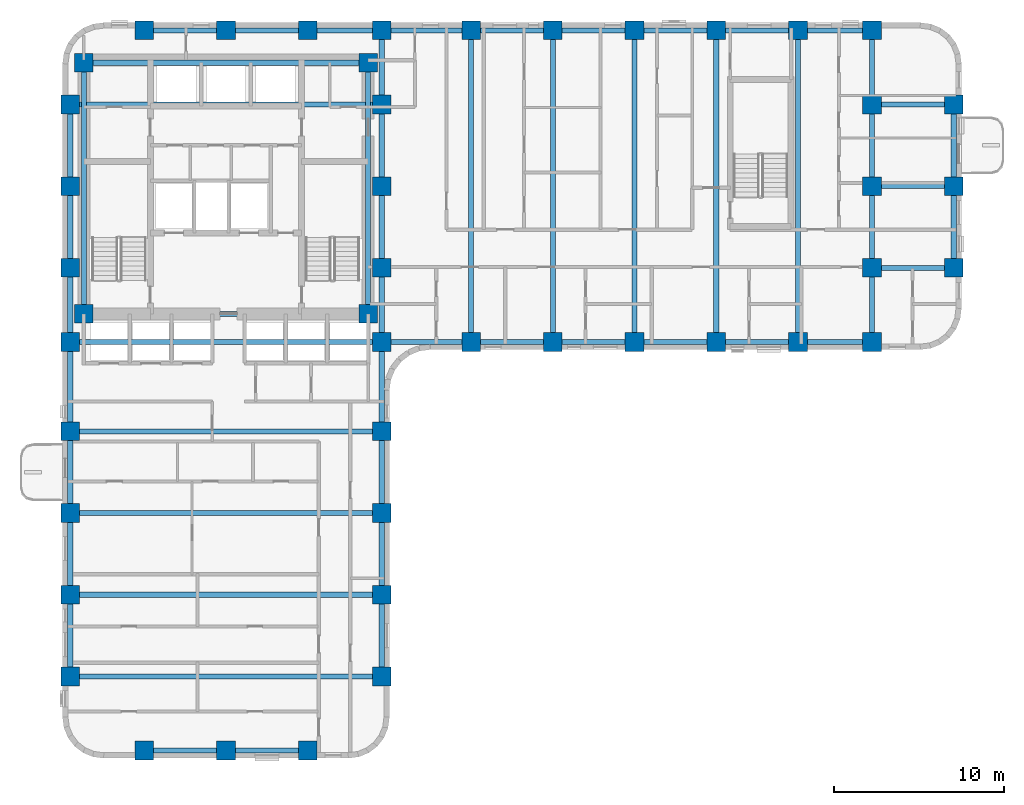
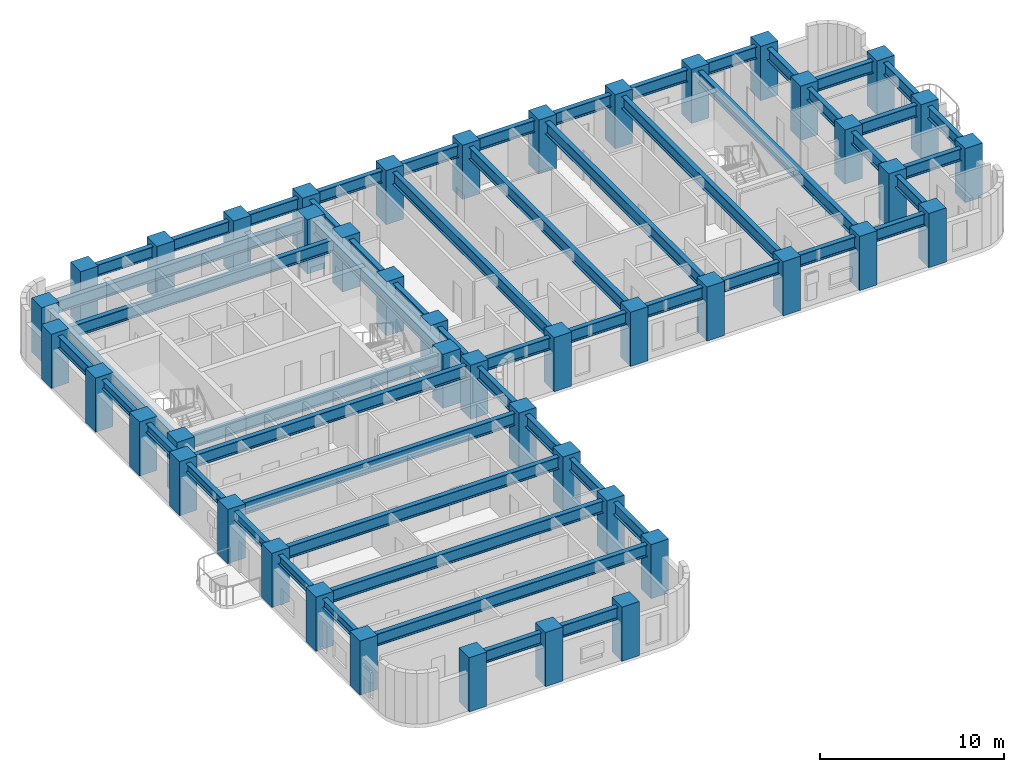
# One storey, part 1 of 11: 56 beams, 45 columns.
"""IFC4 building model written with IfcOpenShell, lengths in metres."""

from ifc_helpers import new_model, si_unit, direction, frame, origin, origin_2d, place, context, subcontext, project, spatial, rectangle, i_section, extrude, material, material_profile, profile_set, type_object, element, save


model = new_model("IFC4")

# Units and contexts
model_context = context("Model", 3, precision=1e-05, world=origin(), true_north=direction((0.0, 1.0)))
body_context = subcontext(model_context, "Body", "Model", "MODEL_VIEW")
ifc_project = project(units=[si_unit("LENGTHUNIT", "METRE"), si_unit("AREAUNIT", "SQUARE_METRE"), si_unit("VOLUMEUNIT", "CUBIC_METRE"), si_unit("PLANEANGLEUNIT", "RADIAN"), si_unit("MASSUNIT", "GRAM", prefix="KILO")], contexts=[model_context])

# Site, building, storey
site_placement = place(None, origin())
site = spatial("IfcSite", under=ifc_project, at=site_placement, CompositionType="ELEMENT")
building_placement = place(site_placement, origin())
building = spatial("IfcBuilding", under=site, at=building_placement, Name="Orvandelia Arch Residences", CompositionType="ELEMENT")
storey_placement = place(building_placement, frame((0.0, 0.0, 79.0)))
storey = spatial("IfcBuildingStorey", under=building, at=storey_placement, Name="L20", CompositionType="ELEMENT", Elevation=79.0)

# Columns
ifc_material_1 = material(Name="Concrete C80/95", Category="concrete")
ifc_material_profile_1 = material_profile(ifc_material_1, rectangle(XDim=1.10009765625, YDim=1.10009765625, at=origin_2d()), Name="Concrete C80/95", Category="concrete")
ifc_profile_set_1 = profile_set([ifc_material_profile_1], Name="Concrete C80/95")
column_type = type_object("IfcColumnType", Name="COL-TWR-1100", PredefinedType="COLUMN", material=ifc_profile_set_1)
for number, where, z_axis, x_axis, name in (
    (1, (5.25, 9.60009765625, 0.0), (0.0, 0.0, 1.0), (1.0, 0.0, 0.0), "Structural Column L20-W-W-96"),
    (2, (5.25, 14.39990234375, 0.0), (0.0, 0.0, 1.0), (1.0, 0.0, 0.0), "Structural Column L20-W-W-144"),
    (3, (5.25, 19.199951171875, 0.0), (0.0, 0.0, 1.0), (1.0, 0.0, 0.0), "Structural Column L20-W-W-192"),
    (4, (5.25, 24.0, 0.0), (0.0, 0.0, 1.0), (1.0, 0.0, 0.0), "Structural Column L20-W-W-240"),
    (5, (5.25, 29.25, 0.0), (0.0, 0.0, 1.0), (1.0, 0.0, 0.0), "Structural Column L20-W-W-292"),
    (6, (5.25, 33.60009765625, 0.0), (0.0, 0.0, 1.0), (1.0, 0.0, 0.0), "Structural Column L20-W-W-336"),
    (7, (5.25, 38.39990234375, 0.0), (0.0, 0.0, 1.0), (1.0, 0.0, 0.0), "Structural Column L20-W-W-384"),
    (8, (5.25, 43.199951171875, 0.0), (0.0, 0.0, 1.0), (1.0, 0.0, 0.0), "Structural Column L20-W-W-432"),
    (9, (6.050048828125, 30.89990234375, 0.0), (0.0, 0.0, 1.0), (1.0, 0.0, 0.0), "Structural Column L20-CR-SW"),
    (10, (6.050048828125, 45.64990234375, 0.0), (0.0, 0.0, 1.0), (1.0, 0.0, 0.0), "Structural Column L20-CR-NW"),
    (11, (9.60009765625, 5.25, 0.0), (0.0, 0.0, 1.0), (1.0, 0.0, 0.0), "Structural Column L20-W-S-96"),
    (12, (9.60009765625, 47.550048828125, 0.0), (0.0, 0.0, 1.0), (1.0, 0.0, 0.0), "Structural Column L20-W-N-96"),
    (13, (14.39990234375, 5.25, 0.0), (0.0, 0.0, 1.0), (1.0, 0.0, 0.0), "Structural Column L20-W-S-144"),
    (14, (14.39990234375, 47.550048828125, 0.0), (0.0, 0.0, 1.0), (1.0, 0.0, 0.0), "Structural Column L20-W-N-144"),
    (15, (19.199951171875, 5.25, 0.0), (0.0, 0.0, 1.0), (1.0, 0.0, 0.0), "Structural Column L20-W-S-192"),
    (16, (19.199951171875, 47.550048828125, 0.0), (0.0, 0.0, 1.0), (1.0, 0.0, 0.0), "Structural Column L20-W-N-192"),
    (17, (22.75, 30.89990234375, 0.0), (0.0, 0.0, 1.0), (1.0, 0.0, 0.0), "Structural Column L20-CR-SE"),
    (18, (22.75, 45.64990234375, 0.0), (0.0, 0.0, 1.0), (1.0, 0.0, 0.0), "Structural Column L20-CR-NE"),
    (19, (23.550048828125, 9.60009765625, 0.0), (0.0, 0.0, 1.0), (1.0, 0.0, 0.0), "Structural Column L20-W-E-96"),
    (20, (23.550048828125, 14.39990234375, 0.0), (0.0, 0.0, 1.0), (1.0, 0.0, 0.0), "Structural Column L20-W-E-144"),
    (21, (23.550048828125, 19.199951171875, 0.0), (0.0, 0.0, 1.0), (1.0, 0.0, 0.0), "Structural Column L20-W-E-192"),
    (22, (23.550048828125, 24.0, 0.0), (0.0, 0.0, 1.0), (1.0, 0.0, 0.0), "Structural Column L20-W-E-240"),
    (23, (23.550048828125, 29.25, 0.0), (0.0, 0.0, 1.0), (1.0, 0.0, 0.0), "Structural Column L20-W-E-292"),
    (24, (23.550048828125, 33.60009765625, 0.0), (0.0, 0.0, 1.0), (1.0, 0.0, 0.0), "Structural Column L20-W-E-336"),
    (25, (23.550048828125, 38.39990234375, 0.0), (0.0, 0.0, 1.0), (1.0, 0.0, 0.0), "Structural Column L20-W-E-384"),
    (26, (23.550048828125, 43.199951171875, 0.0), (0.0, 0.0, 1.0), (1.0, 0.0, 0.0), "Structural Column L20-W-E-432"),
    (27, (23.550048828125, 47.550048828125, 0.0), (0.0, 0.0, 1.0), (1.0, 0.0, 0.0), "Structural Column L20-W-N-235"),
    (28, (28.800048828125, 29.25, 0.0), (0.0, 0.0, 1.0), (1.0, 0.0, 0.0), "Structural Column L20-E-S-288"),
    (29, (28.800048828125, 47.550048828125, 0.0), (0.0, 0.0, 1.0), (1.0, 0.0, 0.0), "Structural Column L20-E-N-288"),
    (30, (33.60009765625, 29.25, 0.0), (0.0, 0.0, 1.0), (1.0, 0.0, 0.0), "Structural Column L20-E-S-336"),
    (31, (33.60009765625, 47.550048828125, 0.0), (0.0, 0.0, 1.0), (1.0, 0.0, 0.0), "Structural Column L20-E-N-336"),
    (32, (38.39990234375, 29.25, 0.0), (0.0, 0.0, 1.0), (1.0, 0.0, 0.0), "Structural Column L20-E-S-384"),
    (33, (38.39990234375, 47.550048828125, 0.0), (0.0, 0.0, 1.0), (1.0, 0.0, 0.0), "Structural Column L20-E-N-384"),
    (34, (43.199951171875, 29.25, 0.0), (0.0, 0.0, 1.0), (1.0, 0.0, 0.0), "Structural Column L20-E-S-432"),
    (35, (43.199951171875, 47.550048828125, 0.0), (0.0, 0.0, 1.0), (1.0, 0.0, 0.0), "Structural Column L20-E-N-432"),
    (36, (48.0, 29.25, 0.0), (0.0, 0.0, 1.0), (1.0, 0.0, 0.0), "Structural Column L20-E-S-480"),
    (37, (48.0, 47.550048828125, 0.0), (0.0, 0.0, 1.0), (1.0, 0.0, 0.0), "Structural Column L20-E-N-480"),
    (38, (52.35009765625, 29.25, 0.0), (0.0, 0.0, 1.0), (1.0, 0.0, 0.0), "Structural Column L20-E-S-523"),
    (39, (52.35009765625, 33.60009765625, 0.0), (0.0, 0.0, 1.0), (1.0, 0.0, 0.0), "Structural Column L20-E-523-336"),
    (40, (52.35009765625, 38.39990234375, 0.0), (0.0, 0.0, 1.0), (1.0, 0.0, 0.0), "Structural Column L20-E-523-384"),
    (41, (52.35009765625, 43.199951171875, 0.0), (0.0, 0.0, 1.0), (1.0, 0.0, 0.0), "Structural Column L20-E-523-432"),
    (42, (52.35009765625, 47.550048828125, 0.0), (0.0, 0.0, 1.0), (1.0, 0.0, 0.0), "Structural Column L20-E-N-523"),
    (43, (57.14990234375, 33.60009765625, 0.0), (0.0, 0.0, 1.0), (1.0, 0.0, 0.0), "Structural Column L20-E-571-336"),
    (44, (57.14990234375, 38.39990234375, 0.0), (0.0, 0.0, 1.0), (1.0, 0.0, 0.0), "Structural Column L20-E-571-384"),
    (45, (57.14990234375, 43.199951171875, 0.0), (0.0, 0.0, 1.0), (1.0, 0.0, 0.0), "Structural Column L20-E-571-432"),
):
    element("IfcColumn", number, at=place(storey_placement, frame(where, z_axis=z_axis, x_axis=x_axis)), inside=storey, type_object=column_type, Name=name, PredefinedType="COLUMN", context=body_context, shape_type="SweptSolid", body=[
        extrude(rectangle(XDim=1.10009765625, YDim=1.10009765625, at=origin_2d()), origin(), (0.0, 0.0, 1.0), 3.60009765625),
    ])

# Beams
ifc_material_2 = material(Name="Structural Steel SM355 (355 MPa)", Category="steel")
ifc_material_profile_2 = material_profile(ifc_material_2, i_section(OverallWidth=0.300048828125, OverallDepth=0.800048828125, WebThickness=0.013916015625, FlangeThickness=0.02587890625, FilletRadius=0.02587890625, at=origin_2d()), Name="Structural Steel SM355 (355 MPa)", Category="steel")
ifc_profile_set_2 = profile_set([ifc_material_profile_2], Name="Structural Steel SM355 (355 MPa)")
beam_type_1 = type_object("IfcBeamType", Name="BM-GRD-H800", PredefinedType="BEAM", material=ifc_profile_set_2)
beam_1_placement = place(storey_placement, frame((5.25, 38.39990234375, 2.949951171875), z_axis=(0.0, 1.0, 0.0), x_axis=(-1.0, 0.0, 0.0)))
element("IfcBeam", 46, at=beam_1_placement, inside=storey, type_object=beam_type_1, Name="Structural Frame Beam L20-NS-007", PredefinedType="BEAM", context=body_context, shape_type="SweptSolid", body=[
    extrude(i_section(OverallWidth=0.300048828125, OverallDepth=0.800048828125, WebThickness=0.013916015625, FlangeThickness=0.02587890625, FilletRadius=0.02587890625, at=origin_2d()), origin(), (0.0, 0.0, 1.0), 4.800048828125),
])
for number, where, z_axis, x_axis, name in (
    (47, (6.050048828125, 30.89990234375, 2.949951171875), (0.0, 1.0, 0.0), (-1.0, 0.0, 0.0), "Structural Frame Beam L20-NS-008"),
    (48, (22.75, 30.89990234375, 2.949951171875), (0.0, 1.0, 0.0), (-1.0, 0.0, 0.0), "Structural Frame Beam L20-NS-009"),
):
    element("IfcBeam", number, at=place(storey_placement, frame(where, z_axis=z_axis, x_axis=x_axis)), inside=storey, type_object=beam_type_1, Name=name, PredefinedType="BEAM", context=body_context, shape_type="SweptSolid", body=[
        extrude(i_section(OverallWidth=0.300048828125, OverallDepth=0.800048828125, WebThickness=0.013916015625, FlangeThickness=0.02587890625, FilletRadius=0.02587890625, at=origin_2d()), origin(), (0.0, 0.0, 1.0), 14.75),
    ])
beam_2_placement = place(storey_placement, frame((23.550048828125, 9.60009765625, 2.949951171875), z_axis=(0.0, 1.0, 0.0), x_axis=(-1.0, 0.0, 0.0)))
element("IfcBeam", 49, at=beam_2_placement, inside=storey, type_object=beam_type_1, Name="Structural Frame Beam L20-NS-010", PredefinedType="BEAM", context=body_context, shape_type="SweptSolid", body=[
    extrude(i_section(OverallWidth=0.300048828125, OverallDepth=0.800048828125, WebThickness=0.013916015625, FlangeThickness=0.02587890625, FilletRadius=0.02587890625, at=origin_2d()), origin(), (0.0, 0.0, 1.0), 4.7998046875),
])
for number, where, z_axis, x_axis, name in (
    (50, (23.550048828125, 14.39990234375, 2.949951171875), (0.0, 1.0, 0.0), (-1.0, 0.0, 0.0), "Structural Frame Beam L20-NS-011"),
    (51, (23.550048828125, 19.199951171875, 2.949951171875), (0.0, 1.0, 0.0), (-1.0, 0.0, 0.0), "Structural Frame Beam L20-NS-012"),
):
    element("IfcBeam", number, at=place(storey_placement, frame(where, z_axis=z_axis, x_axis=x_axis)), inside=storey, type_object=beam_type_1, Name=name, PredefinedType="BEAM", context=body_context, shape_type="SweptSolid", body=[
        extrude(i_section(OverallWidth=0.300048828125, OverallDepth=0.800048828125, WebThickness=0.013916015625, FlangeThickness=0.02587890625, FilletRadius=0.02587890625, at=origin_2d()), origin(), (0.0, 0.0, 1.0), 4.800048828125),
    ])
beam_3_placement = place(storey_placement, frame((23.550048828125, 24.0, 2.949951171875), z_axis=(0.0, 1.0, 0.0), x_axis=(-1.0, 0.0, 0.0)))
element("IfcBeam", 52, at=beam_3_placement, inside=storey, type_object=beam_type_1, Name="Structural Frame Beam L20-NS-013", PredefinedType="BEAM", context=body_context, shape_type="SweptSolid", body=[
    extrude(i_section(OverallWidth=0.300048828125, OverallDepth=0.800048828125, WebThickness=0.013916015625, FlangeThickness=0.02587890625, FilletRadius=0.02587890625, at=origin_2d()), origin(), (0.0, 0.0, 1.0), 5.25),
])
beam_4_placement = place(storey_placement, frame((23.550048828125, 29.25, 2.949951171875), z_axis=(0.0, 1.0, 0.0), x_axis=(-1.0, 0.0, 0.0)))
element("IfcBeam", 53, at=beam_4_placement, inside=storey, type_object=beam_type_1, Name="Structural Frame Beam L20-NS-014", PredefinedType="BEAM", context=body_context, shape_type="SweptSolid", body=[
    extrude(i_section(OverallWidth=0.300048828125, OverallDepth=0.800048828125, WebThickness=0.013916015625, FlangeThickness=0.02587890625, FilletRadius=0.02587890625, at=origin_2d()), origin(), (0.0, 0.0, 1.0), 4.35009765625),
])
beam_5_placement = place(storey_placement, frame((23.550048828125, 33.60009765625, 2.949951171875), z_axis=(0.0, 1.0, 0.0), x_axis=(-1.0, 0.0, 0.0)))
element("IfcBeam", 54, at=beam_5_placement, inside=storey, type_object=beam_type_1, Name="Structural Frame Beam L20-NS-015", PredefinedType="BEAM", context=body_context, shape_type="SweptSolid", body=[
    extrude(i_section(OverallWidth=0.300048828125, OverallDepth=0.800048828125, WebThickness=0.013916015625, FlangeThickness=0.02587890625, FilletRadius=0.02587890625, at=origin_2d()), origin(), (0.0, 0.0, 1.0), 4.7998046875),
])
beam_6_placement = place(storey_placement, frame((23.550048828125, 38.39990234375, 2.949951171875), z_axis=(0.0, 1.0, 0.0), x_axis=(-1.0, 0.0, 0.0)))
element("IfcBeam", 55, at=beam_6_placement, inside=storey, type_object=beam_type_1, Name="Structural Frame Beam L20-NS-016", PredefinedType="BEAM", context=body_context, shape_type="SweptSolid", body=[
    extrude(i_section(OverallWidth=0.300048828125, OverallDepth=0.800048828125, WebThickness=0.013916015625, FlangeThickness=0.02587890625, FilletRadius=0.02587890625, at=origin_2d()), origin(), (0.0, 0.0, 1.0), 4.800048828125),
])
beam_7_placement = place(storey_placement, frame((23.550048828125, 43.199951171875, 2.949951171875), z_axis=(0.0, 1.0, 0.0), x_axis=(-1.0, 0.0, 0.0)))
element("IfcBeam", 56, at=beam_7_placement, inside=storey, type_object=beam_type_1, Name="Structural Frame Beam L20-NS-017", PredefinedType="BEAM", context=body_context, shape_type="SweptSolid", body=[
    extrude(i_section(OverallWidth=0.300048828125, OverallDepth=0.800048828125, WebThickness=0.013916015625, FlangeThickness=0.02587890625, FilletRadius=0.02587890625, at=origin_2d()), origin(), (0.0, 0.0, 1.0), 4.35009765625),
])
for number, where, z_axis, x_axis, name in (
    (57, (28.800048828125, 29.25, 2.949951171875), (0.0, 1.0, 0.0), (-1.0, 0.0, 0.0), "Structural Frame Beam L20-NS-018"),
    (58, (33.60009765625, 29.25, 2.949951171875), (0.0, 1.0, 0.0), (-1.0, 0.0, 0.0), "Structural Frame Beam L20-NS-019"),
    (59, (38.39990234375, 29.25, 2.949951171875), (0.0, 1.0, 0.0), (-1.0, 0.0, 0.0), "Structural Frame Beam L20-NS-020"),
    (60, (43.199951171875, 29.25, 2.949951171875), (0.0, 1.0, 0.0), (-1.0, 0.0, 0.0), "Structural Frame Beam L20-NS-021"),
    (61, (48.0, 29.25, 2.949951171875), (0.0, 1.0, 0.0), (-1.0, 0.0, 0.0), "Structural Frame Beam L20-NS-022"),
):
    element("IfcBeam", number, at=place(storey_placement, frame(where, z_axis=z_axis, x_axis=x_axis)), inside=storey, type_object=beam_type_1, Name=name, PredefinedType="BEAM", context=body_context, shape_type="SweptSolid", body=[
        extrude(i_section(OverallWidth=0.300048828125, OverallDepth=0.800048828125, WebThickness=0.013916015625, FlangeThickness=0.02587890625, FilletRadius=0.02587890625, at=origin_2d()), origin(), (0.0, 0.0, 1.0), 18.300048828125),
    ])
beam_8_placement = place(storey_placement, frame((52.35009765625, 29.25, 2.949951171875), z_axis=(0.0, 1.0, 0.0), x_axis=(-1.0, 0.0, 0.0)))
element("IfcBeam", 62, at=beam_8_placement, inside=storey, type_object=beam_type_1, Name="Structural Frame Beam L20-NS-023", PredefinedType="BEAM", context=body_context, shape_type="SweptSolid", body=[
    extrude(i_section(OverallWidth=0.300048828125, OverallDepth=0.800048828125, WebThickness=0.013916015625, FlangeThickness=0.02587890625, FilletRadius=0.02587890625, at=origin_2d()), origin(), (0.0, 0.0, 1.0), 4.35009765625),
])
beam_9_placement = place(storey_placement, frame((52.35009765625, 33.60009765625, 2.949951171875), z_axis=(0.0, 1.0, 0.0), x_axis=(-1.0, 0.0, 0.0)))
element("IfcBeam", 63, at=beam_9_placement, inside=storey, type_object=beam_type_1, Name="Structural Frame Beam L20-NS-024", PredefinedType="BEAM", context=body_context, shape_type="SweptSolid", body=[
    extrude(i_section(OverallWidth=0.300048828125, OverallDepth=0.800048828125, WebThickness=0.013916015625, FlangeThickness=0.02587890625, FilletRadius=0.02587890625, at=origin_2d()), origin(), (0.0, 0.0, 1.0), 4.7998046875),
])
beam_10_placement = place(storey_placement, frame((52.35009765625, 38.39990234375, 2.949951171875), z_axis=(0.0, 1.0, 0.0), x_axis=(-1.0, 0.0, 0.0)))
element("IfcBeam", 64, at=beam_10_placement, inside=storey, type_object=beam_type_1, Name="Structural Frame Beam L20-NS-025", PredefinedType="BEAM", context=body_context, shape_type="SweptSolid", body=[
    extrude(i_section(OverallWidth=0.300048828125, OverallDepth=0.800048828125, WebThickness=0.013916015625, FlangeThickness=0.02587890625, FilletRadius=0.02587890625, at=origin_2d()), origin(), (0.0, 0.0, 1.0), 4.800048828125),
])
beam_11_placement = place(storey_placement, frame((52.35009765625, 43.199951171875, 2.949951171875), z_axis=(0.0, 1.0, 0.0), x_axis=(-1.0, 0.0, 0.0)))
element("IfcBeam", 65, at=beam_11_placement, inside=storey, type_object=beam_type_1, Name="Structural Frame Beam L20-NS-026", PredefinedType="BEAM", context=body_context, shape_type="SweptSolid", body=[
    extrude(i_section(OverallWidth=0.300048828125, OverallDepth=0.800048828125, WebThickness=0.013916015625, FlangeThickness=0.02587890625, FilletRadius=0.02587890625, at=origin_2d()), origin(), (0.0, 0.0, 1.0), 4.35009765625),
])
beam_12_placement = place(storey_placement, frame((57.14990234375, 33.60009765625, 2.949951171875), z_axis=(0.0, 1.0, 0.0), x_axis=(-1.0, 0.0, 0.0)))
element("IfcBeam", 66, at=beam_12_placement, inside=storey, type_object=beam_type_1, Name="Structural Frame Beam L20-NS-027", PredefinedType="BEAM", context=body_context, shape_type="SweptSolid", body=[
    extrude(i_section(OverallWidth=0.300048828125, OverallDepth=0.800048828125, WebThickness=0.013916015625, FlangeThickness=0.02587890625, FilletRadius=0.02587890625, at=origin_2d()), origin(), (0.0, 0.0, 1.0), 4.7998046875),
])
beam_13_placement = place(storey_placement, frame((57.14990234375, 38.39990234375, 2.949951171875), z_axis=(0.0, 1.0, 0.0), x_axis=(-1.0, 0.0, 0.0)))
element("IfcBeam", 67, at=beam_13_placement, inside=storey, type_object=beam_type_1, Name="Structural Frame Beam L20-NS-028", PredefinedType="BEAM", context=body_context, shape_type="SweptSolid", body=[
    extrude(i_section(OverallWidth=0.300048828125, OverallDepth=0.800048828125, WebThickness=0.013916015625, FlangeThickness=0.02587890625, FilletRadius=0.02587890625, at=origin_2d()), origin(), (0.0, 0.0, 1.0), 4.800048828125),
])
beam_14_placement = place(storey_placement, frame((9.60009765625, 5.25, 2.949951171875), z_axis=(1.0, 0.0, 0.0), x_axis=(0.0, 1.0, 0.0)))
element("IfcBeam", 68, at=beam_14_placement, inside=storey, type_object=beam_type_1, Name="Structural Frame Girder L20-EW-029", PredefinedType="BEAM", context=body_context, shape_type="SweptSolid", body=[
    extrude(i_section(OverallWidth=0.300048828125, OverallDepth=0.800048828125, WebThickness=0.013916015625, FlangeThickness=0.02587890625, FilletRadius=0.02587890625, at=origin_2d()), origin(), (0.0, 0.0, 1.0), 4.7998046875),
])
beam_15_placement = place(storey_placement, frame((14.39990234375, 5.25, 2.949951171875), z_axis=(1.0, 0.0, 0.0), x_axis=(0.0, 1.0, 0.0)))
element("IfcBeam", 69, at=beam_15_placement, inside=storey, type_object=beam_type_1, Name="Structural Frame Girder L20-EW-030", PredefinedType="BEAM", context=body_context, shape_type="SweptSolid", body=[
    extrude(i_section(OverallWidth=0.300048828125, OverallDepth=0.800048828125, WebThickness=0.013916015625, FlangeThickness=0.02587890625, FilletRadius=0.02587890625, at=origin_2d()), origin(), (0.0, 0.0, 1.0), 4.800048828125),
])
for number, where, z_axis, x_axis, name in (
    (70, (5.25, 9.60009765625, 2.949951171875), (1.0, 0.0, 0.0), (0.0, 1.0, 0.0), "Structural Frame Girder L20-EW-031"),
    (71, (5.25, 14.39990234375, 2.949951171875), (1.0, 0.0, 0.0), (0.0, 1.0, 0.0), "Structural Frame Girder L20-EW-032"),
    (72, (5.25, 19.199951171875, 2.949951171875), (1.0, 0.0, 0.0), (0.0, 1.0, 0.0), "Structural Frame Girder L20-EW-033"),
    (73, (5.25, 24.0, 2.949951171875), (1.0, 0.0, 0.0), (0.0, 1.0, 0.0), "Structural Frame Girder L20-EW-034"),
    (74, (5.25, 29.25, 2.949951171875), (1.0, 0.0, 0.0), (0.0, 1.0, 0.0), "Structural Frame Girder L20-EW-035"),
):
    element("IfcBeam", number, at=place(storey_placement, frame(where, z_axis=z_axis, x_axis=x_axis)), inside=storey, type_object=beam_type_1, Name=name, PredefinedType="BEAM", context=body_context, shape_type="SweptSolid", body=[
        extrude(i_section(OverallWidth=0.300048828125, OverallDepth=0.800048828125, WebThickness=0.013916015625, FlangeThickness=0.02587890625, FilletRadius=0.02587890625, at=origin_2d()), origin(), (0.0, 0.0, 1.0), 18.300048828125),
    ])
beam_16_placement = place(storey_placement, frame((23.550048828125, 29.25, 2.949951171875), z_axis=(1.0, 0.0, 0.0), x_axis=(0.0, 1.0, 0.0)))
element("IfcBeam", 75, at=beam_16_placement, inside=storey, type_object=beam_type_1, Name="Structural Frame Girder L20-EW-036", PredefinedType="BEAM", context=body_context, shape_type="SweptSolid", body=[
    extrude(i_section(OverallWidth=0.300048828125, OverallDepth=0.800048828125, WebThickness=0.013916015625, FlangeThickness=0.02587890625, FilletRadius=0.02587890625, at=origin_2d()), origin(), (0.0, 0.0, 1.0), 5.25),
])
beam_17_placement = place(storey_placement, frame((28.800048828125, 29.25, 2.949951171875), z_axis=(1.0, 0.0, 0.0), x_axis=(0.0, 1.0, 0.0)))
element("IfcBeam", 76, at=beam_17_placement, inside=storey, type_object=beam_type_1, Name="Structural Frame Girder L20-EW-037", PredefinedType="BEAM", context=body_context, shape_type="SweptSolid", body=[
    extrude(i_section(OverallWidth=0.300048828125, OverallDepth=0.800048828125, WebThickness=0.013916015625, FlangeThickness=0.02587890625, FilletRadius=0.02587890625, at=origin_2d()), origin(), (0.0, 0.0, 1.0), 4.800048828125),
])
beam_18_placement = place(storey_placement, frame((33.60009765625, 29.25, 2.949951171875), z_axis=(1.0, 0.0, 0.0), x_axis=(0.0, 1.0, 0.0)))
element("IfcBeam", 77, at=beam_18_placement, inside=storey, type_object=beam_type_1, Name="Structural Frame Girder L20-EW-038", PredefinedType="BEAM", context=body_context, shape_type="SweptSolid", body=[
    extrude(i_section(OverallWidth=0.300048828125, OverallDepth=0.800048828125, WebThickness=0.013916015625, FlangeThickness=0.02587890625, FilletRadius=0.02587890625, at=origin_2d()), origin(), (0.0, 0.0, 1.0), 4.7998046875),
])
for number, where, z_axis, x_axis, name in (
    (78, (38.39990234375, 29.25, 2.949951171875), (1.0, 0.0, 0.0), (0.0, 1.0, 0.0), "Structural Frame Girder L20-EW-039"),
    (79, (43.199951171875, 29.25, 2.949951171875), (1.0, 0.0, 0.0), (0.0, 1.0, 0.0), "Structural Frame Girder L20-EW-040"),
):
    element("IfcBeam", number, at=place(storey_placement, frame(where, z_axis=z_axis, x_axis=x_axis)), inside=storey, type_object=beam_type_1, Name=name, PredefinedType="BEAM", context=body_context, shape_type="SweptSolid", body=[
        extrude(i_section(OverallWidth=0.300048828125, OverallDepth=0.800048828125, WebThickness=0.013916015625, FlangeThickness=0.02587890625, FilletRadius=0.02587890625, at=origin_2d()), origin(), (0.0, 0.0, 1.0), 4.800048828125),
    ])
beam_19_placement = place(storey_placement, frame((48.0, 29.25, 2.949951171875), z_axis=(1.0, 0.0, 0.0), x_axis=(0.0, 1.0, 0.0)))
element("IfcBeam", 80, at=beam_19_placement, inside=storey, type_object=beam_type_1, Name="Structural Frame Girder L20-EW-041", PredefinedType="BEAM", context=body_context, shape_type="SweptSolid", body=[
    extrude(i_section(OverallWidth=0.300048828125, OverallDepth=0.800048828125, WebThickness=0.013916015625, FlangeThickness=0.02587890625, FilletRadius=0.02587890625, at=origin_2d()), origin(), (0.0, 0.0, 1.0), 4.35009765625),
])
beam_20_placement = place(storey_placement, frame((6.050048828125, 30.89990234375, 2.949951171875), z_axis=(1.0, 0.0, 0.0), x_axis=(0.0, 1.0, 0.0)))
element("IfcBeam", 81, at=beam_20_placement, inside=storey, type_object=beam_type_1, Name="Structural Frame Girder L20-EW-042", PredefinedType="BEAM", context=body_context, shape_type="SweptSolid", body=[
    extrude(i_section(OverallWidth=0.300048828125, OverallDepth=0.800048828125, WebThickness=0.013916015625, FlangeThickness=0.02587890625, FilletRadius=0.02587890625, at=origin_2d()), origin(), (0.0, 0.0, 1.0), 16.699951171875),
])
for number, where, z_axis, x_axis, name in (
    (82, (52.35009765625, 33.60009765625, 2.949951171875), (1.0, 0.0, 0.0), (0.0, 1.0, 0.0), "Structural Frame Girder L20-EW-044"),
    (83, (52.35009765625, 38.39990234375, 2.949951171875), (1.0, 0.0, 0.0), (0.0, 1.0, 0.0), "Structural Frame Girder L20-EW-046"),
):
    element("IfcBeam", number, at=place(storey_placement, frame(where, z_axis=z_axis, x_axis=x_axis)), inside=storey, type_object=beam_type_1, Name=name, PredefinedType="BEAM", context=body_context, shape_type="SweptSolid", body=[
        extrude(i_section(OverallWidth=0.300048828125, OverallDepth=0.800048828125, WebThickness=0.013916015625, FlangeThickness=0.02587890625, FilletRadius=0.02587890625, at=origin_2d()), origin(), (0.0, 0.0, 1.0), 4.7998046875),
    ])
beam_21_placement = place(storey_placement, frame((5.25, 43.199951171875, 2.949951171875), z_axis=(1.0, 0.0, 0.0), x_axis=(0.0, 1.0, 0.0)))
element("IfcBeam", 84, at=beam_21_placement, inside=storey, type_object=beam_type_1, Name="Structural Frame Girder L20-EW-047", PredefinedType="BEAM", context=body_context, shape_type="SweptSolid", body=[
    extrude(i_section(OverallWidth=0.300048828125, OverallDepth=0.800048828125, WebThickness=0.013916015625, FlangeThickness=0.02587890625, FilletRadius=0.02587890625, at=origin_2d()), origin(), (0.0, 0.0, 1.0), 18.300048828125),
])
beam_22_placement = place(storey_placement, frame((52.35009765625, 43.199951171875, 2.949951171875), z_axis=(1.0, 0.0, 0.0), x_axis=(0.0, 1.0, 0.0)))
element("IfcBeam", 85, at=beam_22_placement, inside=storey, type_object=beam_type_1, Name="Structural Frame Girder L20-EW-048", PredefinedType="BEAM", context=body_context, shape_type="SweptSolid", body=[
    extrude(i_section(OverallWidth=0.300048828125, OverallDepth=0.800048828125, WebThickness=0.013916015625, FlangeThickness=0.02587890625, FilletRadius=0.02587890625, at=origin_2d()), origin(), (0.0, 0.0, 1.0), 4.7998046875),
])
beam_23_placement = place(storey_placement, frame((6.050048828125, 45.64990234375, 2.949951171875), z_axis=(1.0, 0.0, 0.0), x_axis=(0.0, 1.0, 0.0)))
element("IfcBeam", 86, at=beam_23_placement, inside=storey, type_object=beam_type_1, Name="Structural Frame Girder L20-EW-049", PredefinedType="BEAM", context=body_context, shape_type="SweptSolid", body=[
    extrude(i_section(OverallWidth=0.300048828125, OverallDepth=0.800048828125, WebThickness=0.013916015625, FlangeThickness=0.02587890625, FilletRadius=0.02587890625, at=origin_2d()), origin(), (0.0, 0.0, 1.0), 16.699951171875),
])
beam_24_placement = place(storey_placement, frame((9.60009765625, 47.550048828125, 2.949951171875), z_axis=(1.0, 0.0, 0.0), x_axis=(0.0, 1.0, 0.0)))
element("IfcBeam", 87, at=beam_24_placement, inside=storey, type_object=beam_type_1, Name="Structural Frame Girder L20-EW-050", PredefinedType="BEAM", context=body_context, shape_type="SweptSolid", body=[
    extrude(i_section(OverallWidth=0.300048828125, OverallDepth=0.800048828125, WebThickness=0.013916015625, FlangeThickness=0.02587890625, FilletRadius=0.02587890625, at=origin_2d()), origin(), (0.0, 0.0, 1.0), 4.7998046875),
])
beam_25_placement = place(storey_placement, frame((14.39990234375, 47.550048828125, 2.949951171875), z_axis=(1.0, 0.0, 0.0), x_axis=(0.0, 1.0, 0.0)))
element("IfcBeam", 88, at=beam_25_placement, inside=storey, type_object=beam_type_1, Name="Structural Frame Girder L20-EW-051", PredefinedType="BEAM", context=body_context, shape_type="SweptSolid", body=[
    extrude(i_section(OverallWidth=0.300048828125, OverallDepth=0.800048828125, WebThickness=0.013916015625, FlangeThickness=0.02587890625, FilletRadius=0.02587890625, at=origin_2d()), origin(), (0.0, 0.0, 1.0), 4.800048828125),
])
beam_26_placement = place(storey_placement, frame((19.199951171875, 47.550048828125, 2.949951171875), z_axis=(1.0, 0.0, 0.0), x_axis=(0.0, 1.0, 0.0)))
element("IfcBeam", 89, at=beam_26_placement, inside=storey, type_object=beam_type_1, Name="Structural Frame Girder L20-EW-052", PredefinedType="BEAM", context=body_context, shape_type="SweptSolid", body=[
    extrude(i_section(OverallWidth=0.300048828125, OverallDepth=0.800048828125, WebThickness=0.013916015625, FlangeThickness=0.02587890625, FilletRadius=0.02587890625, at=origin_2d()), origin(), (0.0, 0.0, 1.0), 4.35009765625),
])
beam_27_placement = place(storey_placement, frame((23.550048828125, 47.550048828125, 2.949951171875), z_axis=(1.0, 0.0, 0.0), x_axis=(0.0, 1.0, 0.0)))
element("IfcBeam", 90, at=beam_27_placement, inside=storey, type_object=beam_type_1, Name="Structural Frame Girder L20-EW-053", PredefinedType="BEAM", context=body_context, shape_type="SweptSolid", body=[
    extrude(i_section(OverallWidth=0.300048828125, OverallDepth=0.800048828125, WebThickness=0.013916015625, FlangeThickness=0.02587890625, FilletRadius=0.02587890625, at=origin_2d()), origin(), (0.0, 0.0, 1.0), 5.25),
])
beam_28_placement = place(storey_placement, frame((28.800048828125, 47.550048828125, 2.949951171875), z_axis=(1.0, 0.0, 0.0), x_axis=(0.0, 1.0, 0.0)))
element("IfcBeam", 91, at=beam_28_placement, inside=storey, type_object=beam_type_1, Name="Structural Frame Girder L20-EW-054", PredefinedType="BEAM", context=body_context, shape_type="SweptSolid", body=[
    extrude(i_section(OverallWidth=0.300048828125, OverallDepth=0.800048828125, WebThickness=0.013916015625, FlangeThickness=0.02587890625, FilletRadius=0.02587890625, at=origin_2d()), origin(), (0.0, 0.0, 1.0), 4.800048828125),
])
beam_29_placement = place(storey_placement, frame((33.60009765625, 47.550048828125, 2.949951171875), z_axis=(1.0, 0.0, 0.0), x_axis=(0.0, 1.0, 0.0)))
element("IfcBeam", 92, at=beam_29_placement, inside=storey, type_object=beam_type_1, Name="Structural Frame Girder L20-EW-055", PredefinedType="BEAM", context=body_context, shape_type="SweptSolid", body=[
    extrude(i_section(OverallWidth=0.300048828125, OverallDepth=0.800048828125, WebThickness=0.013916015625, FlangeThickness=0.02587890625, FilletRadius=0.02587890625, at=origin_2d()), origin(), (0.0, 0.0, 1.0), 4.7998046875),
])
for number, where, z_axis, x_axis, name in (
    (93, (38.39990234375, 47.550048828125, 2.949951171875), (1.0, 0.0, 0.0), (0.0, 1.0, 0.0), "Structural Frame Girder L20-EW-056"),
    (94, (43.199951171875, 47.550048828125, 2.949951171875), (1.0, 0.0, 0.0), (0.0, 1.0, 0.0), "Structural Frame Girder L20-EW-057"),
):
    element("IfcBeam", number, at=place(storey_placement, frame(where, z_axis=z_axis, x_axis=x_axis)), inside=storey, type_object=beam_type_1, Name=name, PredefinedType="BEAM", context=body_context, shape_type="SweptSolid", body=[
        extrude(i_section(OverallWidth=0.300048828125, OverallDepth=0.800048828125, WebThickness=0.013916015625, FlangeThickness=0.02587890625, FilletRadius=0.02587890625, at=origin_2d()), origin(), (0.0, 0.0, 1.0), 4.800048828125),
    ])
beam_30_placement = place(storey_placement, frame((48.0, 47.550048828125, 2.949951171875), z_axis=(1.0, 0.0, 0.0), x_axis=(0.0, 1.0, 0.0)))
element("IfcBeam", 95, at=beam_30_placement, inside=storey, type_object=beam_type_1, Name="Structural Frame Girder L20-EW-058", PredefinedType="BEAM", context=body_context, shape_type="SweptSolid", body=[
    extrude(i_section(OverallWidth=0.300048828125, OverallDepth=0.800048828125, WebThickness=0.013916015625, FlangeThickness=0.02587890625, FilletRadius=0.02587890625, at=origin_2d()), origin(), (0.0, 0.0, 1.0), 4.35009765625),
])
ifc_material_profile_3 = material_profile(ifc_material_2, i_section(OverallWidth=0.300048828125, OverallDepth=0.587890625, WebThickness=0.011962890625, FlangeThickness=0.02001953125, FilletRadius=0.02197265625, at=origin_2d()), Name="Structural Steel SM355 (355 MPa)", Category="steel")
ifc_profile_set_3 = profile_set([ifc_material_profile_3], Name="Structural Steel SM355 (355 MPa)")
beam_type_2 = type_object("IfcBeamType", Name="BM-SPN-H588", PredefinedType="SPANDREL", material=ifc_profile_set_3)
beam_31_placement = place(storey_placement, frame((5.25, 9.60009765625, 3.055908203125), z_axis=(0.0, 1.0, 0.0), x_axis=(-1.0, 0.0, 0.0)))
element("IfcBeam", 96, at=beam_31_placement, inside=storey, type_object=beam_type_2, Name="Structural Frame Beam L20-NS-001", PredefinedType="SPANDREL", context=body_context, shape_type="SweptSolid", body=[
    extrude(i_section(OverallWidth=0.300048828125, OverallDepth=0.587890625, WebThickness=0.011962890625, FlangeThickness=0.02001953125, FilletRadius=0.02197265625, at=origin_2d()), origin(), (0.0, 0.0, 1.0), 4.7998046875),
])
for number, where, z_axis, x_axis, name in (
    (97, (5.25, 14.39990234375, 3.055908203125), (0.0, 1.0, 0.0), (-1.0, 0.0, 0.0), "Structural Frame Beam L20-NS-002"),
    (98, (5.25, 19.199951171875, 3.055908203125), (0.0, 1.0, 0.0), (-1.0, 0.0, 0.0), "Structural Frame Beam L20-NS-003"),
):
    element("IfcBeam", number, at=place(storey_placement, frame(where, z_axis=z_axis, x_axis=x_axis)), inside=storey, type_object=beam_type_2, Name=name, PredefinedType="SPANDREL", context=body_context, shape_type="SweptSolid", body=[
        extrude(i_section(OverallWidth=0.300048828125, OverallDepth=0.587890625, WebThickness=0.011962890625, FlangeThickness=0.02001953125, FilletRadius=0.02197265625, at=origin_2d()), origin(), (0.0, 0.0, 1.0), 4.800048828125),
    ])
beam_32_placement = place(storey_placement, frame((5.25, 24.0, 3.055908203125), z_axis=(0.0, 1.0, 0.0), x_axis=(-1.0, 0.0, 0.0)))
element("IfcBeam", 99, at=beam_32_placement, inside=storey, type_object=beam_type_2, Name="Structural Frame Beam L20-NS-004", PredefinedType="SPANDREL", context=body_context, shape_type="SweptSolid", body=[
    extrude(i_section(OverallWidth=0.300048828125, OverallDepth=0.587890625, WebThickness=0.011962890625, FlangeThickness=0.02001953125, FilletRadius=0.02197265625, at=origin_2d()), origin(), (0.0, 0.0, 1.0), 5.25),
])
beam_33_placement = place(storey_placement, frame((5.25, 29.25, 3.055908203125), z_axis=(0.0, 1.0, 0.0), x_axis=(-1.0, 0.0, 0.0)))
element("IfcBeam", 100, at=beam_33_placement, inside=storey, type_object=beam_type_2, Name="Structural Frame Beam L20-NS-005", PredefinedType="SPANDREL", context=body_context, shape_type="SweptSolid", body=[
    extrude(i_section(OverallWidth=0.300048828125, OverallDepth=0.587890625, WebThickness=0.011962890625, FlangeThickness=0.02001953125, FilletRadius=0.02197265625, at=origin_2d()), origin(), (0.0, 0.0, 1.0), 4.35009765625),
])
beam_34_placement = place(storey_placement, frame((5.25, 33.60009765625, 3.055908203125), z_axis=(0.0, 1.0, 0.0), x_axis=(-1.0, 0.0, 0.0)))
element("IfcBeam", 101, at=beam_34_placement, inside=storey, type_object=beam_type_2, Name="Structural Frame Beam L20-NS-006", PredefinedType="SPANDREL", context=body_context, shape_type="SweptSolid", body=[
    extrude(i_section(OverallWidth=0.300048828125, OverallDepth=0.587890625, WebThickness=0.011962890625, FlangeThickness=0.02001953125, FilletRadius=0.02197265625, at=origin_2d()), origin(), (0.0, 0.0, 1.0), 4.7998046875),
])

save(model, "model.ifc")
